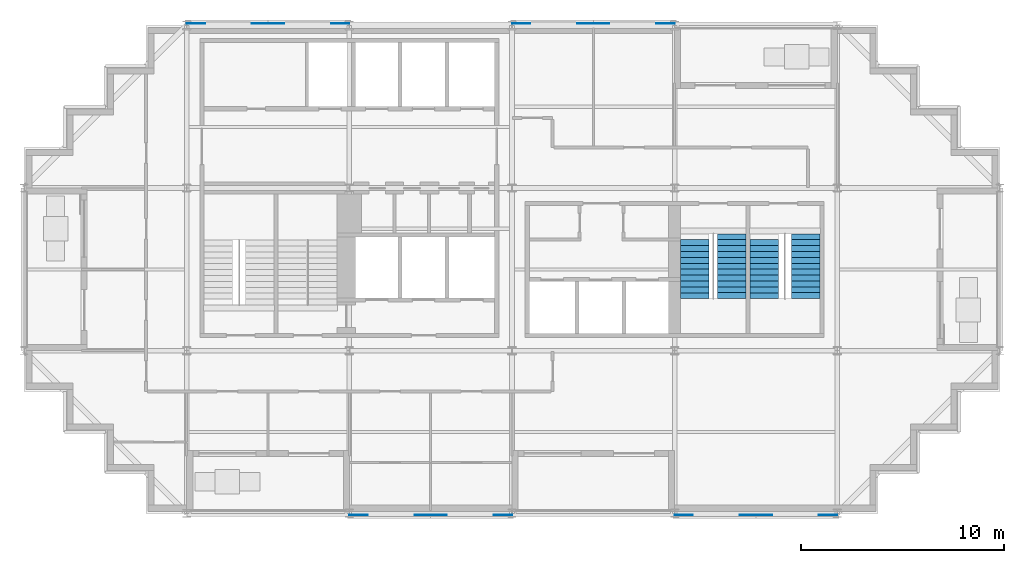
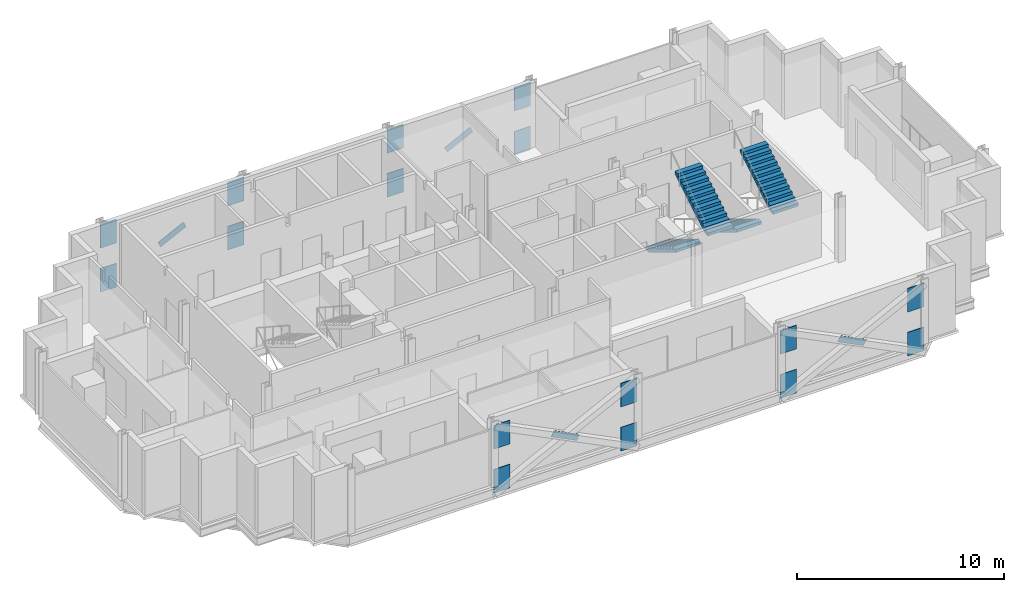
# One storey, part 6 of 8: 20 discrete accessories, 4 stair flights, 2 elements without a shape of their own.
"""IFC4 building model written with IfcOpenShell, lengths in metres."""

from ifc_helpers import new_model, si_unit, direction, frame, origin, origin_2d, place, context, subcontext, project, spatial, polyline, rectangle, outline, extrude, material, material_profile, profile_set, type_object, element, aggregate, save


model = new_model("IFC4")

# Units and contexts
model_context = context("Model", 3, precision=1e-05, world=origin(), true_north=direction((0.0, 1.0)))
body_context = subcontext(model_context, "Body", "Model", "MODEL_VIEW")
ifc_project = project(units=[si_unit("LENGTHUNIT", "METRE"), si_unit("AREAUNIT", "SQUARE_METRE"), si_unit("VOLUMEUNIT", "CUBIC_METRE"), si_unit("PLANEANGLEUNIT", "RADIAN"), si_unit("MASSUNIT", "GRAM", prefix="KILO")], contexts=[model_context])

# Site, building, storey
site_placement = place(None, origin())
site = spatial("IfcSite", under=ifc_project, at=site_placement, CompositionType="ELEMENT")
building_placement = place(site_placement, origin())
building = spatial("IfcBuilding", under=site, at=building_placement, Name="Immortelle Media Tower", CompositionType="ELEMENT")
storey_placement = place(building_placement, frame((0.0, 0.0, 197.0)))
storey = spatial("IfcBuildingStorey", under=building, at=storey_placement, Name="L41", CompositionType="ELEMENT", Elevation=197.0)

# Stair, stair flights
ifc_material_1 = material(Name="Steel ASTM A992 Gr 50", Category="steel")
stair_type = type_object("IfcStairType", Name="Stair with flights", PredefinedType="DOUBLE_RETURN_STAIR", material=ifc_material_1)
stair_1_placement = place(storey_placement, origin())
stair_1 = element("IfcStair", 1, at=stair_1_placement, inside=storey, type_object=stair_type, Name="Exit stair SE1", PredefinedType="DOUBLE_RETURN_STAIR")
stair_flight_type = type_object("IfcStairFlightType", Name="Stair flight 1400", PredefinedType="STRAIGHT", material=ifc_material_1)
stair_flight_1_placement = place(storey_placement, frame((33.0, 13.4599609375, 0.0), z_axis=(0.0, 0.0, 1.0), x_axis=(0.0, -1.0, 0.0)))
stair_flight_1 = element("IfcStairFlight", 2, at=stair_flight_1_placement, type_object=stair_flight_type, Name="ST SE1 flight 1", NumberOfRisers=11, NumberOfTreads=10, PredefinedType="STRAIGHT", RiserHeight=0.173913043, TreadLength=0.29, context=body_context, shape_type="SweptSolid", body=[
    extrude(outline(polyline([(0.0, 0.0), (0.0, 0.173828125), (0.2900390625, 0.173828125), (0.2900390625, 0.347900390625), (0.580078125, 0.347900390625), (0.580078125, 0.521728515625), (0.8701171875, 0.521728515625), (0.8701171875, 0.695556640625), (1.159912109375, 0.695556640625), (1.159912109375, 0.86962890625), (1.449951171875, 0.86962890625), (1.449951171875, 1.04345703125), (1.739990234375, 1.04345703125), (1.739990234375, 1.21728515625), (2.030029296875, 1.21728515625), (2.030029296875, 1.391357421875), (2.320068359375, 1.391357421875), (2.320068359375, 1.565185546875), (2.610107421875, 1.565185546875), (2.610107421875, 1.739013671875), (2.89990234375, 1.739013671875), (2.89990234375, 1.9130859375), (2.89990234375, 1.564453125), (0.29150390625, 0.0), (0.0, 0.0)])), frame((0.0, 0.699951171875, 0.0), z_axis=(0.0, -1.0, 0.0), x_axis=(1.0, 0.0, 0.0)), (0.0, 0.0, 1.0), 1.39990234375),
])
stair_flight_2_placement = place(storey_placement, frame((34.800048828125, 10.56005859375, 1.9130859375), z_axis=(0.0, 0.0, 1.0), x_axis=(0.0, 1.0, 0.0)))
stair_flight_2 = element("IfcStairFlight", 3, at=stair_flight_2_placement, type_object=stair_flight_type, Name="ST SE1 flight 2", NumberOfRisers=12, NumberOfTreads=11, PredefinedType="STRAIGHT", RiserHeight=0.173913043, TreadLength=0.29, context=body_context, shape_type="SweptSolid", body=[
    extrude(outline(polyline([(0.0, 0.0), (0.0, 0.173828125), (0.2900390625, 0.173828125), (0.2900390625, 0.347900390625), (0.580078125, 0.347900390625), (0.580078125, 0.521728515625), (0.8701171875, 0.521728515625), (0.8701171875, 0.695556640625), (1.159912109375, 0.695556640625), (1.159912109375, 0.86962890625), (1.449951171875, 0.86962890625), (1.449951171875, 1.04345703125), (1.739990234375, 1.04345703125), (1.739990234375, 1.21728515625), (2.030029296875, 1.21728515625), (2.030029296875, 1.391357421875), (2.320068359375, 1.391357421875), (2.320068359375, 1.565185546875), (2.610107421875, 1.565185546875), (2.610107421875, 1.739013671875), (2.89990234375, 1.739013671875), (2.89990234375, 1.9130859375), (3.18994140625, 1.9130859375), (3.18994140625, 2.0869140625), (3.18994140625, 1.73828125), (0.29150390625, 0.0), (0.0, 0.0)])), frame((0.0, 0.699951171875, 0.0), z_axis=(0.0, -1.0, 0.0), x_axis=(1.0, 0.0, 0.0)), (0.0, 0.0, 1.0), 1.39990234375),
])
aggregate(stair_1, [stair_flight_1, stair_flight_2])

stair_2_placement = place(storey_placement, origin())
stair_2 = element("IfcStair", 4, at=stair_2_placement, inside=storey, type_object=stair_type, Name="Exit stair SE2", PredefinedType="DOUBLE_RETURN_STAIR")
stair_flight_3_placement = place(storey_placement, frame((36.39990234375, 13.4599609375, 0.0), z_axis=(0.0, 0.0, 1.0), x_axis=(0.0, -1.0, 0.0)))
stair_flight_3 = element("IfcStairFlight", 5, at=stair_flight_3_placement, type_object=stair_flight_type, Name="ST SE2 flight 1", NumberOfRisers=11, NumberOfTreads=10, PredefinedType="STRAIGHT", RiserHeight=0.173913043, TreadLength=0.29, context=body_context, shape_type="SweptSolid", body=[
    extrude(outline(polyline([(0.0, 0.0), (0.0, 0.173828125), (0.2900390625, 0.173828125), (0.2900390625, 0.347900390625), (0.580078125, 0.347900390625), (0.580078125, 0.521728515625), (0.8701171875, 0.521728515625), (0.8701171875, 0.695556640625), (1.159912109375, 0.695556640625), (1.159912109375, 0.86962890625), (1.449951171875, 0.86962890625), (1.449951171875, 1.04345703125), (1.739990234375, 1.04345703125), (1.739990234375, 1.21728515625), (2.030029296875, 1.21728515625), (2.030029296875, 1.391357421875), (2.320068359375, 1.391357421875), (2.320068359375, 1.565185546875), (2.610107421875, 1.565185546875), (2.610107421875, 1.739013671875), (2.89990234375, 1.739013671875), (2.89990234375, 1.9130859375), (2.89990234375, 1.564453125), (0.29150390625, 0.0), (0.0, 0.0)])), frame((0.0, 0.699951171875, 0.0), z_axis=(0.0, -1.0, 0.0), x_axis=(1.0, 0.0, 0.0)), (0.0, 0.0, 1.0), 1.39990234375),
])
stair_flight_4_placement = place(storey_placement, frame((38.449951171875, 10.56005859375, 1.9130859375), z_axis=(0.0, 0.0, 1.0), x_axis=(0.0, 1.0, 0.0)))
stair_flight_4 = element("IfcStairFlight", 6, at=stair_flight_4_placement, type_object=stair_flight_type, Name="ST SE2 flight 2", NumberOfRisers=12, NumberOfTreads=11, PredefinedType="STRAIGHT", RiserHeight=0.173913043, TreadLength=0.29, context=body_context, shape_type="SweptSolid", body=[
    extrude(outline(polyline([(0.0, 0.0), (0.0, 0.173828125), (0.2900390625, 0.173828125), (0.2900390625, 0.347900390625), (0.580078125, 0.347900390625), (0.580078125, 0.521728515625), (0.8701171875, 0.521728515625), (0.8701171875, 0.695556640625), (1.159912109375, 0.695556640625), (1.159912109375, 0.86962890625), (1.449951171875, 0.86962890625), (1.449951171875, 1.04345703125), (1.739990234375, 1.04345703125), (1.739990234375, 1.21728515625), (2.030029296875, 1.21728515625), (2.030029296875, 1.391357421875), (2.320068359375, 1.391357421875), (2.320068359375, 1.565185546875), (2.610107421875, 1.565185546875), (2.610107421875, 1.739013671875), (2.89990234375, 1.739013671875), (2.89990234375, 1.9130859375), (3.18994140625, 1.9130859375), (3.18994140625, 2.0869140625), (3.18994140625, 1.73828125), (0.29150390625, 0.0), (0.0, 0.0)])), frame((0.0, 0.699951171875, 0.0), z_axis=(0.0, -1.0, 0.0), x_axis=(1.0, 0.0, 0.0)), (0.0, 0.0, 1.0), 1.39990234375),
])
aggregate(stair_2, [stair_flight_3, stair_flight_4])

# Discrete accessories
ifc_material_2 = material(Name="Steel ASTM A572 Gr 50", Category="steel")
ifc_material_profile_1 = material_profile(ifc_material_2, rectangle(XDim=0.02392578125, YDim=0.35595703125, at=origin_2d()), Name="PL 24 x 356")
ifc_profile_set_1 = profile_set([ifc_material_profile_1], Name="Steel ASTM A572 Gr 50")
discrete_accessory_type_1 = type_object("IfcDiscreteAccessoryType", Name="Crossing plate XP-BR5 1600 x 356 x 24", PredefinedType="USERDEFINED", material=ifc_profile_set_1)
for number, where, z_axis, x_axis, name in (
    (7, (28.715576171875, 24.087890625, 1.90185546875), (-0.894427191, 0.0, -0.4472135955), (0.0, -1.0, 0.0), "Crossing plate XP-BR5 of Brace D/4-5 A and Brace D/4-5 B"),
    (8, (12.715576171875, 24.087890625, 1.90185546875), (-0.894427191, 0.0, -0.4472135955), (0.0, -1.0, 0.0), "Crossing plate XP-BR5 of Brace D/2-3 A and Brace D/2-3 B"),
    (9, (19.284423828125, -0.087890625, 1.90185546875), (0.894427191, 0.0, -0.4472135955), (0.0, 1.0, 0.0), "Crossing plate XP-BR5 of Brace A/3-4 A and Brace A/3-4 B"),
    (10, (35.284423828125, -0.087890625, 1.90185546875), (0.894427191, 0.0, -0.4472135955), (0.0, 1.0, 0.0), "Crossing plate XP-BR5 of Brace A/5-6 A and Brace A/5-6 B"),
):
    element("IfcDiscreteAccessory", number, at=place(storey_placement, frame(where, z_axis=z_axis, x_axis=x_axis)), inside=storey, type_object=discrete_accessory_type_1, Name=name, ObjectType="CROSSING PLATE", PredefinedType="USERDEFINED", context=body_context, shape_type="SweptSolid", body=[
        extrude(rectangle(XDim=0.02392578125, YDim=0.35595703125, at=origin_2d()), origin(), (0.0, 0.0, 1.0), 1.60009765625),
    ])
ifc_material_profile_2 = material_profile(ifc_material_2, rectangle(XDim=0.031982421875, YDim=1.39990234375, at=origin_2d()), Name="PL 32 x 1400")
ifc_profile_set_2 = profile_set([ifc_material_profile_2], Name="Steel ASTM A572 Gr 50")
discrete_accessory_type_2 = type_object("IfcDiscreteAccessoryType", Name="Gusset plate GP1 900 x 1400 x 32", PredefinedType="USERDEFINED", material=ifc_profile_set_2)
for number, where, z_axis, x_axis, name in (
    (11, (16.0, -0.087890625, 0.243896484375), (1.0, 0.0, 0.0), (0.0, 1.0, 0.0), "Gusset plate GP1, lower end of Brace A/3-4 A"),
    (12, (24.0, -0.087890625, 2.843994140625), (-1.0, 0.0, 0.0), (0.0, -1.0, 0.0), "Gusset plate GP1, upper end of Brace A/3-4 A"),
    (13, (24.0, -0.087890625, 0.243896484375), (-1.0, 0.0, 0.0), (0.0, -1.0, 0.0), "Gusset plate GP1, lower end of Brace A/3-4 B"),
    (14, (16.0, -0.087890625, 2.843994140625), (1.0, 0.0, 0.0), (0.0, 1.0, 0.0), "Gusset plate GP1, upper end of Brace A/3-4 B"),
    (15, (32.0, -0.087890625, 0.243896484375), (1.0, 0.0, 0.0), (0.0, 1.0, 0.0), "Gusset plate GP1, lower end of Brace A/5-6 A"),
    (16, (40.0, -0.087890625, 2.843994140625), (-1.0, 0.0, 0.0), (0.0, -1.0, 0.0), "Gusset plate GP1, upper end of Brace A/5-6 A"),
    (17, (40.0, -0.087890625, 0.243896484375), (-1.0, 0.0, 0.0), (0.0, -1.0, 0.0), "Gusset plate GP1, lower end of Brace A/5-6 B"),
    (18, (32.0, -0.087890625, 2.843994140625), (1.0, 0.0, 0.0), (0.0, 1.0, 0.0), "Gusset plate GP1, upper end of Brace A/5-6 B"),
    (19, (32.0, 24.087890625, 0.243896484375), (-1.0, 0.0, 0.0), (0.0, -1.0, 0.0), "Gusset plate GP1, lower end of Brace D/4-5 A"),
    (20, (24.0, 24.087890625, 2.843994140625), (1.0, 0.0, 0.0), (0.0, 1.0, 0.0), "Gusset plate GP1, upper end of Brace D/4-5 A"),
    (21, (24.0, 24.087890625, 0.243896484375), (1.0, 0.0, 0.0), (0.0, 1.0, 0.0), "Gusset plate GP1, lower end of Brace D/4-5 B"),
    (22, (32.0, 24.087890625, 2.843994140625), (-1.0, 0.0, 0.0), (0.0, -1.0, 0.0), "Gusset plate GP1, upper end of Brace D/4-5 B"),
    (23, (16.0, 24.087890625, 0.243896484375), (-1.0, 0.0, 0.0), (0.0, -1.0, 0.0), "Gusset plate GP1, lower end of Brace D/2-3 A"),
    (24, (8.0, 24.087890625, 2.843994140625), (1.0, 0.0, 0.0), (0.0, 1.0, 0.0), "Gusset plate GP1, upper end of Brace D/2-3 A"),
    (25, (8.0, 24.087890625, 0.243896484375), (1.0, 0.0, 0.0), (0.0, 1.0, 0.0), "Gusset plate GP1, lower end of Brace D/2-3 B"),
    (26, (16.0, 24.087890625, 2.843994140625), (-1.0, 0.0, 0.0), (0.0, -1.0, 0.0), "Gusset plate GP1, upper end of Brace D/2-3 B"),
):
    element("IfcDiscreteAccessory", number, at=place(storey_placement, frame(where, z_axis=z_axis, x_axis=x_axis)), inside=storey, type_object=discrete_accessory_type_2, Name=name, ObjectType="GUSSET PLATE", PredefinedType="USERDEFINED", context=body_context, shape_type="SweptSolid", body=[
        extrude(rectangle(XDim=0.031982421875, YDim=1.39990234375, at=origin_2d()), origin(), (0.0, 0.0, 1.0), 0.89990234375),
    ])

save(model, "model.ifc")
